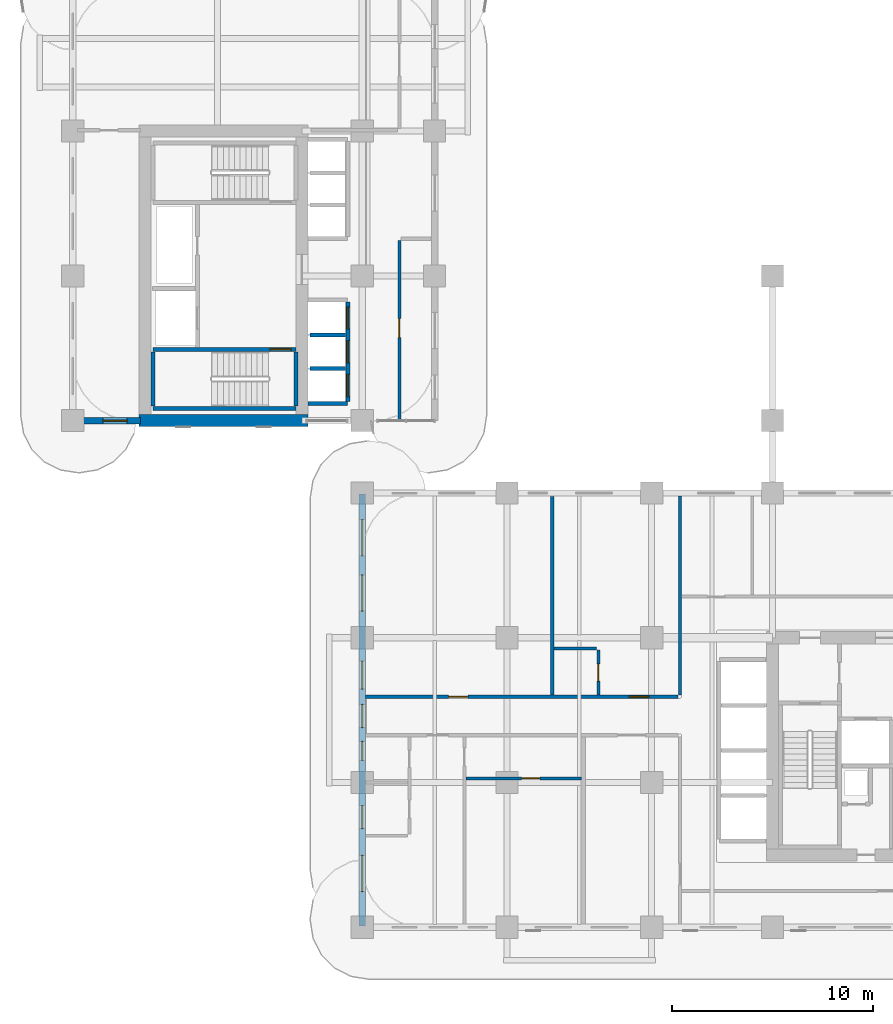
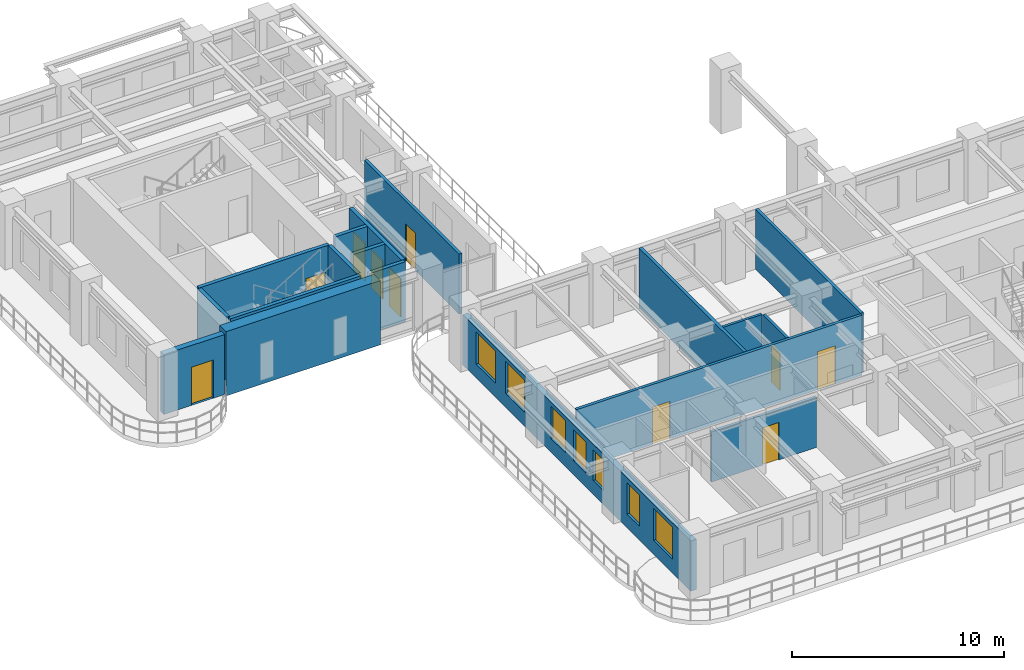
# One storey, part 7 of 19: 18 walls, 10 doors, 7 windows, 17 openings.
"""IFC4 building model written with IfcOpenShell, lengths in metres."""

import ifcopenshell
import ifcopenshell.guid

model = None  # the IFC model being written
_history = None  # IfcOwnerHistory: only IFC2X3 demands one
_inside = {}  # id of a spatial element -> (the spatial element, [elements in it])
_under = {}  # id of a project, library or spatial element -> (it, [spatial elements below it])
_declared = {}  # id of a project -> (the project, [libraries it declares])
_typed = {}  # id of a type object -> (the type object, [elements of that type])
_made_of = {}  # id of a material, layer set ... -> (it, [elements and type objects made of it])


def new_model(schema):
    """Start an empty IFC model of exactly this schema.

    Asked for "IFC4X3", IfcOpenShell would pick the latest addendum, in which some entities
    have other attributes; the version numbers below select the first issue.
    IFC2X3 requires an IfcOwnerHistory on every rooted entity: one is made here for all.
    """
    global model, _history
    if schema == "IFC4X3":
        model = ifcopenshell.file(schema_version=(4, 3, 0, 0))
    else:
        model = ifcopenshell.file(schema=schema)
    _inside.clear()
    _under.clear()
    _declared.clear()
    _typed.clear()
    _made_of.clear()
    _history = None
    if model.schema == "IFC2X3":
        org = make("IfcOrganization", Name="unknown")
        user = make(
            "IfcPersonAndOrganization",
            ThePerson=make("IfcPerson", FamilyName="unknown"),
            TheOrganization=org,
        )
        app = make(
            "IfcApplication",
            ApplicationDeveloper=org,
            Version="unknown",
            ApplicationFullName="unknown",
            ApplicationIdentifier="unknown",
        )
        _history = make(
            "IfcOwnerHistory",
            OwningUser=user,
            OwningApplication=app,
            ChangeAction="ADDED",
            CreationDate=0,
        )
    return model


def make(cls, **values):
    """One entity of the class cls with the attributes given. An attribute that is None is left unset."""
    return model.create_entity(
        cls, **{name: value for name, value in values.items() if value is not None}
    )


def rooted(cls, **values):
    """An entity with a GlobalId (a new one), such as an element, a storey or a relation."""
    return make(cls, GlobalId=ifcopenshell.guid.new(), OwnerHistory=_history, **values)


def si_unit(unit_type, name, prefix=None):
    """IfcSIUnit, for example si_unit("LENGTHUNIT", "METRE", prefix="MILLI")."""
    return make("IfcSIUnit", UnitType=unit_type, Prefix=prefix, Name=name)


def derived_unit(unit_type, elements):
    """IfcDerivedUnit: a product of units, each with its exponent."""
    return make(
        "IfcDerivedUnit",
        Elements=[
            make("IfcDerivedUnitElement", Unit=unit, Exponent=power)
            for unit, power in elements
        ],
        UnitType=unit_type,
    )


def assignment(units):
    """IfcUnitAssignment: the units of a project."""
    return None if units is None else make("IfcUnitAssignment", Units=units)


def point(xyz):
    """IfcCartesianPoint."""
    return None if xyz is None else make("IfcCartesianPoint", Coordinates=xyz)


def direction(xyz):
    """IfcDirection."""
    return None if xyz is None else make("IfcDirection", DirectionRatios=xyz)


def frame(location, z_axis=None, x_axis=None):
    """IfcAxis2Placement3D, a coordinate frame: its origin and axes. An axis left out is left unset."""
    return make(
        "IfcAxis2Placement3D",
        Location=point(location),
        Axis=direction(z_axis),
        RefDirection=direction(x_axis),
    )


def frame_2d(location, x_axis=None):
    """IfcAxis2Placement2D, a coordinate frame in the plane: its origin and x axis."""
    return make(
        "IfcAxis2Placement2D", Location=point(location), RefDirection=direction(x_axis)
    )


def origin():
    """The frame at (0, 0, 0) with its axes left unset."""
    return frame((0.0, 0.0, 0.0))


def place(relative_to, where):
    """IfcLocalPlacement: puts the frame where relative to a parent placement (None: the world)."""
    return make(
        "IfcLocalPlacement", PlacementRelTo=relative_to, RelativePlacement=where
    )


def context(
    kind, dimensions, precision=None, world=None, true_north=None, identifier=None
):
    """IfcGeometricRepresentationContext, for example the 3D "Model" context."""
    return make(
        "IfcGeometricRepresentationContext",
        ContextIdentifier=identifier,
        ContextType=kind,
        CoordinateSpaceDimension=dimensions,
        Precision=precision,
        WorldCoordinateSystem=world,
        TrueNorth=true_north,
    )


def subcontext(parent, identifier, kind, view, scale=None):
    """IfcGeometricRepresentationSubContext, for example "Body" below "Model"."""
    return make(
        "IfcGeometricRepresentationSubContext",
        ContextIdentifier=identifier,
        ContextType=kind,
        ParentContext=parent,
        TargetScale=scale,
        TargetView=view,
    )


def project(units=None, contexts=None):
    """IfcProject with its units and contexts."""
    return rooted(
        "IfcProject",
        Name="project",
        RepresentationContexts=contexts,
        UnitsInContext=assignment(units),
    )


def spatial(cls, under=None, at=None, **own):
    """A site, building, storey or space (cls), placed at a placement, below another one or the project."""
    s = rooted(cls, ObjectPlacement=at, **own)
    if under is not None:
        _under.setdefault(under.id(), (under, []))[1].append(s)
    return s


def profile(cls, at=None, kind="AREA", **sizes):
    """A parametric profile (cls). Its sizes go by their IFC names, for example OverallWidth=200.0."""
    return make(cls, ProfileType=kind, Position=at, **sizes)


def rectangle(**sizes):
    """IfcRectangleProfileDef."""
    return profile("IfcRectangleProfileDef", **sizes)


def extrude(swept, where, along, depth):
    """IfcExtrudedAreaSolid: the profile swept, set in the frame where, extruded along a direction by depth."""
    return make(
        "IfcExtrudedAreaSolid",
        SweptArea=swept,
        Position=where,
        ExtrudedDirection=direction(along),
        Depth=depth,
    )


def shape(context_of_items, identifier, shape_type, items):
    """IfcShapeRepresentation: the items that make up one representation, for example the "Body"."""
    return make(
        "IfcShapeRepresentation",
        ContextOfItems=context_of_items,
        RepresentationIdentifier=identifier,
        RepresentationType=shape_type,
        Items=items,
    )


def source(mapping_origin, context_of_items, identifier, shape_type, items):
    """IfcRepresentationMap: a shape defined once, which mapped items show again and again."""
    return make(
        "IfcRepresentationMap",
        MappingOrigin=mapping_origin,
        MappedRepresentation=shape(context_of_items, identifier, shape_type, items),
    )


def transform(
    local_origin,
    x_axis=None,
    y_axis=None,
    z_axis=None,
    scale=None,
    scale2=None,
    scale3=None,
    uniform=True,
):
    """IfcCartesianTransformationOperator3D, or its non-uniform kind. x_axis, y_axis, z_axis: its Axis1, 2, 3."""
    if uniform:
        return make(
            "IfcCartesianTransformationOperator3D",
            Axis1=direction(x_axis),
            Axis2=direction(y_axis),
            LocalOrigin=point(local_origin),
            Scale=scale,
            Axis3=direction(z_axis),
        )
    return make(
        "IfcCartesianTransformationOperator3DnonUniform",
        Axis1=direction(x_axis),
        Axis2=direction(y_axis),
        LocalOrigin=point(local_origin),
        Scale=scale,
        Axis3=direction(z_axis),
        Scale2=scale2,
        Scale3=scale3,
    )


def mapped(mapping_source, mapping_target):
    """IfcMappedItem: shows the shape of a source again, moved by a transform."""
    return make(
        "IfcMappedItem", MappingSource=mapping_source, MappingTarget=mapping_target
    )


def material(Name=None, Category=None):
    """IfcMaterial."""
    return make("IfcMaterial", Name=Name, Category=Category)


def layer(
    of_material, thickness, ventilated=None, Name=None, Category=None, Priority=None
):
    """IfcMaterialLayer: one layer of a wall or slab, of a material (None: an air gap)."""
    return make(
        "IfcMaterialLayer",
        Material=of_material,
        LayerThickness=thickness,
        IsVentilated=ventilated,
        Name=Name,
        Category=Category,
        Priority=Priority,
    )


def layer_set(layers, Name=None):
    """IfcMaterialLayerSet."""
    return make("IfcMaterialLayerSet", MaterialLayers=layers, LayerSetName=Name)


def made_of(thing, what):
    """Note that an element or type object is made of a material, layer set ...; save() writes the relation."""
    if what is not None:
        _made_of.setdefault(what.id(), (what, []))[1].append(thing)
    return thing


def type_object(cls, material=None, **own):
    """A type object (cls), such as IfcWallType, which elements share."""
    return made_of(rooted(cls, **own), material)


def type_shapes(of_type, sources):
    """Give a type object the sources (RepresentationMaps) that its elements show as mapped items."""
    of_type.RepresentationMaps = sources


def element(
    cls,
    number,
    at=None,
    inside=None,
    cuts=None,
    type_object=None,
    material=None,
    context=None,
    identifier="Body",
    shape_type=None,
    held_by="IfcProductDefinitionShape",
    body=None,
    shapes=None,
    **own,
):
    """One element of the class cls, such as IfcWall. Its Tag is "e" and its number.

    at: its placement. inside: the storey or other place that contains it. cuts: it is an
    opening in that element (IfcRelVoidsElement). A single representation is given by context,
    identifier, shape_type and body (its items); several are given by shapes. held_by: the class
    of the entity that holds the representations. save() writes the other relations.
    """
    e = rooted(cls, Tag="e%d" % number, ObjectPlacement=at, **own)
    if body is not None:
        shapes = [shape(context, identifier, shape_type, body)]
    if shapes is not None:
        e.Representation = make(held_by, Representations=shapes)
    if inside is not None:
        _inside.setdefault(inside.id(), (inside, []))[1].append(e)
    if cuts is not None:
        rooted(
            "IfcRelVoidsElement", RelatingBuildingElement=cuts, RelatedOpeningElement=e
        )
    if type_object is not None:
        _typed.setdefault(type_object.id(), (type_object, []))[1].append(e)
    return made_of(e, material)


def fill(opening, filler):
    """IfcRelFillsElement: the door or window that sits in an opening."""
    return rooted(
        "IfcRelFillsElement",
        RelatingOpeningElement=opening,
        RelatedBuildingElement=filler,
    )


def aggregate(whole, parts):
    """IfcRelAggregates: a whole, such as a stair, and the parts it consists of."""
    return rooted("IfcRelAggregates", RelatingObject=whole, RelatedObjects=parts)


def save(model, path):
    """Write the relations noted so far, then the file.

    IfcRelAggregates (storeys below a building ...), IfcRelContainedInSpatialStructure (elements
    in a storey), IfcRelDefinesByType, IfcRelAssociatesMaterial and IfcRelDeclares: one each for
    every whole, place, type object, material and project.
    """
    for whole, parts in _under.values():
        aggregate(whole, parts)
    for where, things in _inside.values():
        rooted(
            "IfcRelContainedInSpatialStructure",
            RelatedElements=things,
            RelatingStructure=where,
        )
    for kind, things in _typed.values():
        rooted("IfcRelDefinesByType", RelatedObjects=things, RelatingType=kind)
    for what, things in _made_of.values():
        rooted("IfcRelAssociatesMaterial", RelatedObjects=things, RelatingMaterial=what)
    for by, libraries in _declared.values():
        rooted("IfcRelDeclares", RelatingContext=by, RelatedDefinitions=libraries)
    model.write(path)


model = new_model("IFC4")

# Units and contexts
model_context = context("Model", 3, precision=1e-05, world=origin(), true_north=direction((0.0, 1.0)))
body_context = subcontext(model_context, "Body", "Model", "MODEL_VIEW")
ifc_project = project(units=[si_unit("LENGTHUNIT", "METRE"), si_unit("AREAUNIT", "SQUARE_METRE"), si_unit("VOLUMEUNIT", "CUBIC_METRE"), si_unit("PLANEANGLEUNIT", "RADIAN"), si_unit("MASSUNIT", "GRAM", prefix="KILO"), si_unit("THERMODYNAMICTEMPERATUREUNIT", "KELVIN"), si_unit("POWERUNIT", "WATT"), derived_unit("THERMALTRANSMITTANCEUNIT", [(si_unit("POWERUNIT", "WATT"), 1), (si_unit("AREAUNIT", "SQUARE_METRE"), -1), (si_unit("THERMODYNAMICTEMPERATUREUNIT", "KELVIN"), -1)])], contexts=[model_context])

# Site, building, storey
site_placement = place(None, origin())
site = spatial("IfcSite", under=ifc_project, at=site_placement, CompositionType="ELEMENT")
building_placement = place(site_placement, origin())
building = spatial("IfcBuilding", under=site, at=building_placement, Name="Zahravan Archway Hotel and Residences", CompositionType="ELEMENT")
storey_placement = place(building_placement, frame((0.0, 0.0, 62.0)))
storey = spatial("IfcBuildingStorey", under=building, at=storey_placement, Name="L14", CompositionType="ELEMENT", Elevation=62.0)

# Wall
ifc_material_1 = material(Name="Concrete C70/85", Category="concrete")
ifc_layer_1 = layer(ifc_material_1, 0.60009765625, Name="Concrete C70/85", Category="concrete")
ifc_layer_set_1 = layer_set([ifc_layer_1], Name="Concrete C70/85")
wall_type_1 = type_object("IfcWallType", Name="CW-CORE-600", PredefinedType="SHEAR", material=ifc_layer_set_1)
wall_1_placement = place(storey_placement, frame((3.300048828125, 25.199951171875, 0.0), z_axis=(0.0, 0.0, 1.0), x_axis=(1.0, 0.0, 0.0)))
element("IfcWall", 1, at=wall_1_placement, inside=storey, type_object=wall_type_1, Name="L14 Core B Shear S Wall 600 mm", PredefinedType="SHEAR", context=body_context, shape_type="SweptSolid", body=[
    extrude(rectangle(XDim=8.39990234375, YDim=0.60009765625, at=frame_2d((4.199951171875, 0.0))), origin(), (0.0, 0.0, 1.0), 3.699951171875),
])

# Wall, openings, windows
ifc_material_2 = material(Name="Agra Buff Sandstone & Insulated Backup", Category="masonry")
ifc_layer_2 = layer(ifc_material_2, 0.320068359375, Name="Agra Buff Sandstone & Insulated Backup", Category="masonry")
ifc_layer_set_2 = layer_set([ifc_layer_2], Name="Agra Buff Sandstone & Insulated Backup")
wall_type_2 = type_object("IfcWallType", Name="EW-SAND-320", PredefinedType="SOLIDWALL", material=ifc_layer_set_2)
wall_2_placement = place(storey_placement, frame((14.39990234375, 0.050048828125, 0.0), z_axis=(0.0, 0.0, 1.0), x_axis=(0.0, 1.0, 0.0)))
wall_2 = element("IfcWall", 2, at=wall_2_placement, inside=storey, type_object=wall_type_2, Name="L14 Exterior Sandstone Wall WA-W", PredefinedType="SOLIDWALL", context=body_context, shape_type="SweptSolid", body=[
    extrude(rectangle(XDim=21.5, YDim=0.320068359375, at=frame_2d((10.75, 0.0))), origin(), (0.0, 0.0, 1.0), 2.885009765625),
])
opening_1_placement = place(wall_2_placement, frame((1.720947265625, 0.0, 0.800048828125)))
opening_1 = element("IfcOpeningElement", 3, at=opening_1_placement, cuts=wall_2, Name="Opening W-02", PredefinedType="OPENING", context=body_context, shape_type="SweptSolid", body=[
    extrude(rectangle(XDim=1.800048828125, YDim=1.85009765625, at=frame_2d((0.89990234375, 0.925048828125))), frame((0.0, 0.169921875, 0.0), z_axis=(0.0, -1.0, 0.0), x_axis=(1.0, 0.0, 0.0)), (0.0, 0.0, 1.0), 0.340087890625),
])
opening_2_placement = place(wall_2_placement, frame((4.85400390625, 0.0, 0.800048828125)))
opening_2 = element("IfcOpeningElement", 4, at=opening_2_placement, cuts=wall_2, Name="Opening W-05", PredefinedType="OPENING", context=body_context, shape_type="SweptSolid", body=[
    extrude(rectangle(XDim=1.14990234375, YDim=1.800048828125, at=frame_2d((0.574951171875, 0.89990234375))), frame((0.0, 0.169921875, 0.0), z_axis=(0.0, -1.0, 0.0), x_axis=(1.0, 0.0, 0.0)), (0.0, 0.0, 1.0), 0.340087890625),
])
opening_3_placement = place(wall_2_placement, frame((8.24609375, 0.0, 0.800048828125)))
opening_3 = element("IfcOpeningElement", 5, at=opening_3_placement, cuts=wall_2, Name="Opening W-04", PredefinedType="OPENING", context=body_context, shape_type="SweptSolid", body=[
    extrude(rectangle(XDim=0.949951171875, YDim=1.75, at=frame_2d((0.47509765625, 0.875))), frame((0.0, 0.169921875, 0.0), z_axis=(0.0, -1.0, 0.0), x_axis=(1.0, 0.0, 0.0)), (0.0, 0.0, 1.0), 0.340087890625),
])
opening_4_placement = place(wall_2_placement, frame((9.885009765625, 0.0, 0.800048828125)))
opening_4 = element("IfcOpeningElement", 6, at=opening_4_placement, cuts=wall_2, Name="Opening W-05", PredefinedType="OPENING", context=body_context, shape_type="SweptSolid", body=[
    extrude(rectangle(XDim=1.14990234375, YDim=1.800048828125, at=frame_2d((0.574951171875, 0.89990234375))), frame((0.0, 0.169921875, 0.0), z_axis=(0.0, -1.0, 0.0), x_axis=(1.0, 0.0, 0.0)), (0.0, 0.0, 1.0), 0.340087890625),
])
opening_5_placement = place(wall_2_placement, frame((11.7890625, 0.0, 0.800048828125)))
opening_5 = element("IfcOpeningElement", 7, at=opening_5_placement, cuts=wall_2, Name="Opening W-03", PredefinedType="OPENING", context=body_context, shape_type="SweptSolid", body=[
    extrude(rectangle(XDim=1.39990234375, YDim=1.85009765625, at=frame_2d((0.699951171875, 0.925048828125))), frame((0.0, 0.169921875, 0.0), z_axis=(0.0, -1.0, 0.0), x_axis=(1.0, 0.0, 0.0)), (0.0, 0.0, 1.0), 0.340087890625),
])
opening_6_placement = place(wall_2_placement, frame((15.675048828125, 0.0, 0.800048828125)))
opening_6 = element("IfcOpeningElement", 8, at=opening_6_placement, cuts=wall_2, Name="Opening W-02", PredefinedType="OPENING", context=body_context, shape_type="SweptSolid", body=[
    extrude(rectangle(XDim=1.800048828125, YDim=1.85009765625, at=frame_2d((0.89990234375, 0.925048828125))), frame((0.0, 0.169921875, 0.0), z_axis=(0.0, -1.0, 0.0), x_axis=(1.0, 0.0, 0.0)), (0.0, 0.0, 1.0), 0.340087890625),
])
opening_7_placement = place(wall_2_placement, frame((18.425048828125, 0.0, 0.800048828125)))
opening_7 = element("IfcOpeningElement", 9, at=opening_7_placement, cuts=wall_2, Name="Opening W-02", PredefinedType="OPENING", context=body_context, shape_type="SweptSolid", body=[
    extrude(rectangle(XDim=1.800048828125, YDim=1.85009765625, at=frame_2d((0.89990234375, 0.925048828125))), frame((0.0, 0.169921875, 0.0), z_axis=(0.0, -1.0, 0.0), x_axis=(1.0, 0.0, 0.0)), (0.0, 0.0, 1.0), 0.340087890625),
])
ifc_material_3 = material(Name="Bronze-Anodized Thermal-Break Aluminium & Low-E Glass", Category="aluminium")
window_type_1 = type_object("IfcWindowType", Name="WIN-TWR-1400", PartitioningType="SINGLE_PANEL", PredefinedType="WINDOW", material=ifc_material_3)
shared_shape_1 = source(origin(), body_context, "Body", "SweptSolid", [
    extrude(rectangle(XDim=1.39990234375, YDim=1.85009765625, at=frame_2d((0.699951171875, 0.925048828125))), frame((0.0, 0.030029296875, 0.0), z_axis=(0.0, -1.0, 0.0), x_axis=(1.0, 0.0, 0.0)), (0.0, 0.0, 1.0), 0.06005859375),
])
type_shapes(window_type_1, [shared_shape_1])
window_1_placement = place(opening_5_placement, origin())
window_1 = element("IfcWindow", 10, at=window_1_placement, inside=storey, type_object=window_type_1, Name="L14 Loggia Window 31", OverallHeight=1.85009765625, OverallWidth=1.39990234375, PartitioningType="SINGLE_PANEL", PredefinedType="WINDOW", context=body_context, shape_type="MappedRepresentation", body=[
    mapped(shared_shape_1, transform((0.0, 0.0, 0.0), scale=1.0)),
])
fill(opening_5, window_1)
window_type_2 = type_object("IfcWindowType", Name="WIN-NAR-950", PartitioningType="SINGLE_PANEL", PredefinedType="WINDOW", material=ifc_material_3)
shared_shape_2 = source(origin(), body_context, "Body", "SweptSolid", [
    extrude(rectangle(XDim=0.949951171875, YDim=1.75, at=frame_2d((0.47509765625, 0.875))), frame((0.0, 0.030029296875, 0.0), z_axis=(0.0, -1.0, 0.0), x_axis=(1.0, 0.0, 0.0)), (0.0, 0.0, 1.0), 0.06005859375),
])
type_shapes(window_type_2, [shared_shape_2])
window_2_placement = place(opening_3_placement, origin())
window_2 = element("IfcWindow", 11, at=window_2_placement, inside=storey, type_object=window_type_2, Name="L14 Loggia Window 29", OverallHeight=1.75, OverallWidth=0.949951171875, PartitioningType="SINGLE_PANEL", PredefinedType="WINDOW", context=body_context, shape_type="MappedRepresentation", body=[
    mapped(shared_shape_2, transform((0.0, 0.0, 0.0), scale=1.0)),
])
fill(opening_3, window_2)
window_type_3 = type_object("IfcWindowType", Name="WIN-TWR-1800", PartitioningType="DOUBLE_PANEL_VERTICAL", PredefinedType="WINDOW", material=ifc_material_3)
shared_shape_3 = source(origin(), body_context, "Body", "SweptSolid", [
    extrude(rectangle(XDim=1.800048828125, YDim=1.85009765625, at=frame_2d((0.89990234375, 0.925048828125))), frame((0.0, 0.030029296875, 0.0), z_axis=(0.0, -1.0, 0.0), x_axis=(1.0, 0.0, 0.0)), (0.0, 0.0, 1.0), 0.06005859375),
])
type_shapes(window_type_3, [shared_shape_3])
window_3_placement = place(opening_1_placement, origin())
window_3 = element("IfcWindow", 12, at=window_3_placement, inside=storey, type_object=window_type_3, Name="L14 Loggia Window 27", OverallHeight=1.85009765625, OverallWidth=1.800048828125, PartitioningType="DOUBLE_PANEL_VERTICAL", PredefinedType="WINDOW", context=body_context, shape_type="MappedRepresentation", body=[
    mapped(shared_shape_3, transform((0.0, 0.0, 0.0), scale=1.0)),
])
fill(opening_1, window_3)
window_4_placement = place(opening_6_placement, origin())
window_4 = element("IfcWindow", 13, at=window_4_placement, inside=storey, type_object=window_type_3, Name="L14 Loggia Window 32", OverallHeight=1.85009765625, OverallWidth=1.800048828125, PartitioningType="DOUBLE_PANEL_VERTICAL", PredefinedType="WINDOW", context=body_context, shape_type="MappedRepresentation", body=[
    mapped(shared_shape_3, transform((0.0, 0.0, 0.0), scale=1.0)),
])
fill(opening_6, window_4)
window_5_placement = place(opening_7_placement, origin())
window_5 = element("IfcWindow", 14, at=window_5_placement, inside=storey, type_object=window_type_3, Name="L14 Loggia Window 33", OverallHeight=1.85009765625, OverallWidth=1.800048828125, PartitioningType="DOUBLE_PANEL_VERTICAL", PredefinedType="WINDOW", context=body_context, shape_type="MappedRepresentation", body=[
    mapped(shared_shape_3, transform((0.0, 0.0, 0.0), scale=1.0)),
])
fill(opening_7, window_5)
window_type_4 = type_object("IfcWindowType", Name="WIN-TWR-1150", PartitioningType="SINGLE_PANEL", PredefinedType="WINDOW", material=ifc_material_3)
shared_shape_4 = source(origin(), body_context, "Body", "SweptSolid", [
    extrude(rectangle(XDim=1.14990234375, YDim=1.800048828125, at=frame_2d((0.574951171875, 0.89990234375))), frame((0.0, 0.030029296875, 0.0), z_axis=(0.0, -1.0, 0.0), x_axis=(1.0, 0.0, 0.0)), (0.0, 0.0, 1.0), 0.06005859375),
])
type_shapes(window_type_4, [shared_shape_4])
window_6_placement = place(opening_2_placement, origin())
window_6 = element("IfcWindow", 15, at=window_6_placement, inside=storey, type_object=window_type_4, Name="L14 Loggia Window 28", OverallHeight=1.800048828125, OverallWidth=1.14990234375, PartitioningType="SINGLE_PANEL", PredefinedType="WINDOW", context=body_context, shape_type="MappedRepresentation", body=[
    mapped(shared_shape_4, transform((0.0, 0.0, 0.0), scale=1.0)),
])
fill(opening_2, window_6)
window_7_placement = place(opening_4_placement, origin())
window_7 = element("IfcWindow", 16, at=window_7_placement, inside=storey, type_object=window_type_4, Name="L14 Loggia Window 30", OverallHeight=1.800048828125, OverallWidth=1.14990234375, PartitioningType="SINGLE_PANEL", PredefinedType="WINDOW", context=body_context, shape_type="MappedRepresentation", body=[
    mapped(shared_shape_4, transform((0.0, 0.0, 0.0), scale=1.0)),
])
fill(opening_4, window_7)

# Wall, opening, door
wall_3_placement = place(storey_placement, frame((0.0, 25.199951171875, 0.0), z_axis=(0.0, 0.0, 1.0), x_axis=(1.0, 0.0, 0.0)))
wall_3 = element("IfcWall", 17, at=wall_3_placement, inside=storey, type_object=wall_type_2, Name="L14 Exterior Sandstone Wall WB-SW", PredefinedType="SOLIDWALL", context=body_context, shape_type="SweptSolid", body=[
    extrude(rectangle(XDim=3.3798828125, YDim=0.320068359375, at=frame_2d((1.68994140625, 0.0))), origin(), (0.0, 0.0, 1.0), 3.449951171875),
])
opening_8_placement = place(wall_3_placement, frame((1.5, 0.0, 0.0)))
opening_8 = element("IfcOpeningElement", 18, at=opening_8_placement, cuts=wall_3, Name="Opening ED-BL1", PredefinedType="OPENING", context=body_context, shape_type="SweptSolid", body=[
    extrude(rectangle(XDim=1.199951171875, YDim=2.199951171875, at=frame_2d((0.60009765625, 1.10009765625))), frame((0.0, 0.169921875, 0.0), z_axis=(0.0, -1.0, 0.0), x_axis=(1.0, 0.0, 0.0)), (0.0, 0.0, 1.0), 0.340087890625),
])
ifc_material_4 = material(Name="Bronze-Anodized Glazed Aluminium", Category="aluminium")
door_type_1 = type_object("IfcDoorType", Name="ED-BALC-1200", OperationType="SLIDING_TO_LEFT", PredefinedType="DOOR", material=ifc_material_4)
shared_shape_5 = source(origin(), body_context, "Body", "SweptSolid", [
    extrude(rectangle(XDim=1.199951171875, YDim=2.199951171875, at=frame_2d((0.60009765625, 1.10009765625))), frame((0.0, 0.02490234375, 0.0), z_axis=(0.0, -1.0, 0.0), x_axis=(1.0, 0.0, 0.0)), (0.0, 0.0, 1.0), 0.050048828125),
])
type_shapes(door_type_1, [shared_shape_5])
door_1_placement = place(opening_8_placement, origin())
door_1 = element("IfcDoor", 19, at=door_1_placement, inside=storey, type_object=door_type_1, Name="L14 Outdoor Access Sliding Door (SLB-BAL-L14-WB)", OperationType="SLIDING_TO_LEFT", OverallHeight=2.199951171875, OverallWidth=1.199951171875, PredefinedType="DOOR", context=body_context, shape_type="MappedRepresentation", body=[
    mapped(shared_shape_5, transform((0.0, 0.0, 0.0), scale=1.0)),
])
fill(opening_8, door_1)

# Wall, openings, doors
ifc_material_5 = material(Name="Fire-Rated Gypsum & Concrete Block", Category="concrete")
ifc_layer_3 = layer(ifc_material_5, 0.159912109375, Name="Fire-Rated Gypsum & Concrete Block", Category="concrete")
ifc_layer_set_3 = layer_set([ifc_layer_3], Name="Fire-Rated Gypsum & Concrete Block")
wall_type_3 = type_object("IfcWallType", Name="PW-CORR-160", PredefinedType="PARTITIONING", material=ifc_layer_set_3)
wall_4_placement = place(storey_placement, frame((14.568115234375, 11.469970703125, 0.0), z_axis=(0.0, 0.0, 1.0), x_axis=(1.0, 0.0, 0.0)))
wall_4 = element("IfcWall", 20, at=wall_4_placement, inside=storey, type_object=wall_type_3, Name="L14 Partition WA-CN", PredefinedType="PARTITIONING", context=body_context, shape_type="SweptSolid", body=[
    extrude(rectangle(XDim=15.5419921875, YDim=0.159912109375, at=frame_2d((7.77099609375, 0.0))), origin(), (0.0, 0.0, 1.0), 3.449951171875),
])
opening_9_placement = place(wall_4_placement, frame((4.132080078125, 0.0, 0.0)))
opening_9 = element("IfcOpeningElement", 21, at=opening_9_placement, cuts=wall_4, Name="Opening D-I1", PredefinedType="OPENING", context=body_context, shape_type="SweptSolid", body=[
    extrude(rectangle(XDim=0.949951171875, YDim=2.14990234375, at=frame_2d((0.47509765625, 1.074951171875))), frame((0.0, 0.08984375, 0.0), z_axis=(0.0, -1.0, 0.0), x_axis=(1.0, 0.0, 0.0)), (0.0, 0.0, 1.0), 0.179931640625),
])
opening_10_placement = place(wall_4_placement, frame((13.10693359375, 0.0, 0.0)))
opening_10 = element("IfcOpeningElement", 22, at=opening_10_placement, cuts=wall_4, Name="Opening D-U2", PredefinedType="OPENING", context=body_context, shape_type="SweptSolid", body=[
    extrude(rectangle(XDim=1.0, YDim=2.199951171875, at=frame_2d((0.5, 1.10009765625))), frame((0.0, 0.08984375, 0.0), z_axis=(0.0, -1.0, 0.0), x_axis=(1.0, 0.0, 0.0)), (0.0, 0.0, 1.0), 0.179931640625),
])
ifc_material_6 = material(Name="Hardwood Veneer Timber", Category="wood")
door_type_2 = type_object("IfcDoorType", Name="ID-INT-950", OperationType="NOTDEFINED", PredefinedType="DOOR", material=ifc_material_6)
shared_shape_6 = source(origin(), body_context, "Body", "SweptSolid", [
    extrude(rectangle(XDim=0.949951171875, YDim=2.14990234375, at=frame_2d((0.47509765625, 1.074951171875))), frame((0.0, 0.02490234375, 0.0), z_axis=(0.0, -1.0, 0.0), x_axis=(1.0, 0.0, 0.0)), (0.0, 0.0, 1.0), 0.050048828125),
])
type_shapes(door_type_2, [shared_shape_6])
door_2_placement = place(opening_9_placement, origin())
door_2 = element("IfcDoor", 23, at=door_2_placement, inside=storey, type_object=door_type_2, Name="L14 Portal Study Door", OperationType="SINGLE_SWING_LEFT", OverallHeight=2.14990234375, OverallWidth=0.949951171875, PredefinedType="DOOR", context=body_context, shape_type="MappedRepresentation", body=[
    mapped(shared_shape_6, transform((0.0, 0.0, 0.0), scale=1.0)),
])
fill(opening_9, door_2)
door_type_3 = type_object("IfcDoorType", Name="ID-UNIT-1000", OperationType="NOTDEFINED", PredefinedType="DOOR", material=ifc_material_6)
shared_shape_7 = source(origin(), body_context, "Body", "SweptSolid", [
    extrude(rectangle(XDim=1.0, YDim=2.199951171875, at=frame_2d((0.5, 1.10009765625))), frame((0.0, 0.02490234375, 0.0), z_axis=(0.0, -1.0, 0.0), x_axis=(1.0, 0.0, 0.0)), (0.0, 0.0, 1.0), 0.050048828125),
])
type_shapes(door_type_3, [shared_shape_7])
door_3_placement = place(opening_10_placement, origin())
door_3 = element("IfcDoor", 24, at=door_3_placement, inside=storey, type_object=door_type_3, Name="L14 Hotel Guestroom 45 Entrance Door", OperationType="SINGLE_SWING_LEFT", OverallHeight=2.199951171875, OverallWidth=1.0, PredefinedType="DOOR", context=body_context, shape_type="MappedRepresentation", body=[
    mapped(shared_shape_7, transform((0.0, 0.0, 0.0), scale=1.0)),
])
fill(opening_10, door_3)

# Wall
wall_5_placement = place(storey_placement, frame((30.199951171875, 11.56005859375, 0.0), z_axis=(0.0, 0.0, 1.0), x_axis=(0.0, 1.0, 0.0)))
element("IfcWall", 25, at=wall_5_placement, inside=storey, type_object=wall_type_3, Name="L14 Partition WA-FW", PredefinedType="PARTITIONING", context=body_context, shape_type="SweptSolid", body=[
    extrude(rectangle(XDim=9.89990234375, YDim=0.159912109375, at=frame_2d((4.949951171875, 0.0))), origin(), (0.0, 0.0, 1.0), 3.449951171875),
])

# Wall, opening, door
wall_6_placement = place(storey_placement, frame((16.25, 25.22802734375, 0.0), z_axis=(0.0, 0.0, 1.0), x_axis=(0.0, 1.0, 0.0)))
wall_6 = element("IfcWall", 26, at=wall_6_placement, inside=storey, type_object=wall_type_3, Name="L14 Partition WB-CE", PredefinedType="PARTITIONING", context=body_context, shape_type="SweptSolid", body=[
    extrude(rectangle(XDim=8.931884765625, YDim=0.159912109375, at=frame_2d((4.4658203125, 0.0))), origin(), (0.0, 0.0, 1.0), 3.449951171875),
])
opening_11_placement = place(wall_6_placement, frame((4.096923828125, 0.0, 0.0)))
opening_11 = element("IfcOpeningElement", 27, at=opening_11_placement, cuts=wall_6, Name="Opening D-I1", PredefinedType="OPENING", context=body_context, shape_type="SweptSolid", body=[
    extrude(rectangle(XDim=0.949951171875, YDim=2.14990234375, at=frame_2d((0.47509765625, 1.074951171875))), frame((0.0, 0.08984375, 0.0), z_axis=(0.0, -1.0, 0.0), x_axis=(1.0, 0.0, 0.0)), (0.0, 0.0, 1.0), 0.179931640625),
])
door_4_placement = place(opening_11_placement, origin())
door_4 = element("IfcDoor", 28, at=door_4_placement, inside=storey, type_object=door_type_2, Name="L14 Wing B Portal Study Door", OperationType="SINGLE_SWING_RIGHT", OverallHeight=2.14990234375, OverallWidth=0.949951171875, PredefinedType="DOOR", context=body_context, shape_type="MappedRepresentation", body=[
    mapped(shared_shape_6, transform((0.0, 0.0, 0.0), scale=1.0)),
])
fill(opening_11, door_4)

# Wall
ifc_layer_4 = layer(ifc_material_5, 0.199951171875, Name="Fire-Rated Gypsum & Concrete Block", Category="concrete")
ifc_layer_set_4 = layer_set([ifc_layer_4], Name="Fire-Rated Gypsum & Concrete Block")
wall_type_4 = type_object("IfcWallType", Name="PW-SHAFT-200", PredefinedType="PARTITIONING", material=ifc_layer_set_4)
wall_7_placement = place(storey_placement, frame((11.7099609375, 26.050048828125, 0.0), z_axis=(0.0, 0.0, 1.0), x_axis=(1.0, 0.0, 0.0)))
element("IfcWall", 29, at=wall_7_placement, inside=storey, type_object=wall_type_4, Name="L14 Partition B1-S", PredefinedType="PARTITIONING", context=body_context, shape_type="SweptSolid", body=[
    extrude(rectangle(XDim=1.9599609375, YDim=0.199951171875, at=frame_2d((0.97998046875, 0.0))), origin(), (0.0, 0.0, 1.0), 3.449951171875),
])

# Wall, openings, doors
wall_8_placement = place(storey_placement, frame((13.679931640625, 26.159912109375, 0.0), z_axis=(0.0, 0.0, 1.0), x_axis=(0.0, 1.0, 0.0)))
wall_8 = element("IfcWall", 30, at=wall_8_placement, inside=storey, type_object=wall_type_4, Name="L14 Partition B1-E", PredefinedType="PARTITIONING", context=body_context, shape_type="SweptSolid", body=[
    extrude(rectangle(XDim=4.940185546875, YDim=0.199951171875, at=frame_2d((2.47021484375, 0.0))), origin(), (0.0, 0.0, 1.0), 3.449951171875),
])
opening_12_placement = place(wall_8_placement, frame((0.239990234375, 0.0, 0.0)))
opening_12 = element("IfcOpeningElement", 31, at=opening_12_placement, cuts=wall_8, Name="Opening LD", PredefinedType="OPENING", context=body_context, shape_type="SweptSolid", body=[
    extrude(rectangle(XDim=1.10009765625, YDim=2.199951171875, at=frame_2d((0.550048828125, 1.10009765625))), frame((0.0, 0.10986328125, 0.0), z_axis=(0.0, -1.0, 0.0), x_axis=(1.0, 0.0, 0.0)), (0.0, 0.0, 1.0), 0.219970703125),
])
opening_13_placement = place(wall_8_placement, frame((1.919921875, 0.0, 0.0)))
opening_13 = element("IfcOpeningElement", 32, at=opening_13_placement, cuts=wall_8, Name="Opening LD", PredefinedType="OPENING", context=body_context, shape_type="SweptSolid", body=[
    extrude(rectangle(XDim=1.10009765625, YDim=2.199951171875, at=frame_2d((0.550048828125, 1.10009765625))), frame((0.0, 0.10986328125, 0.0), z_axis=(0.0, -1.0, 0.0), x_axis=(1.0, 0.0, 0.0)), (0.0, 0.0, 1.0), 0.219970703125),
])
opening_14_placement = place(wall_8_placement, frame((3.60009765625, 0.0, 0.0)))
opening_14 = element("IfcOpeningElement", 33, at=opening_14_placement, cuts=wall_8, Name="Opening LD", PredefinedType="OPENING", context=body_context, shape_type="SweptSolid", body=[
    extrude(rectangle(XDim=1.10009765625, YDim=2.199951171875, at=frame_2d((0.550048828125, 1.10009765625))), frame((0.0, 0.10986328125, 0.0), z_axis=(0.0, -1.0, 0.0), x_axis=(1.0, 0.0, 0.0)), (0.0, 0.0, 1.0), 0.219970703125),
])
ifc_material_7 = material(Name="Brushed Stainless Steel", Category="steel")
door_type_4 = type_object("IfcDoorType", Name="DR-LIFT-LD", OperationType="SLIDING_TO_LEFT", PredefinedType="DOOR", material=ifc_material_7)
shared_shape_8 = source(origin(), body_context, "Body", "SweptSolid", [
    extrude(rectangle(XDim=1.10009765625, YDim=2.199951171875, at=frame_2d((0.550048828125, 1.10009765625))), frame((0.0, 0.02490234375, 0.0), z_axis=(0.0, -1.0, 0.0), x_axis=(1.0, 0.0, 0.0)), (0.0, 0.0, 1.0), 0.050048828125),
])
type_shapes(door_type_4, [shared_shape_8])
door_5_placement = place(opening_12_placement, origin())
door_5 = element("IfcDoor", 34, at=door_5_placement, inside=storey, type_object=door_type_4, Name="L14 Lift LP-1 Sliding Landing Door", OperationType="SLIDING_TO_LEFT", OverallHeight=2.199951171875, OverallWidth=1.10009765625, PredefinedType="DOOR", context=body_context, shape_type="MappedRepresentation", body=[
    mapped(shared_shape_8, transform((0.0, 0.0, 0.0), scale=1.0)),
])
fill(opening_12, door_5)
door_6_placement = place(opening_13_placement, origin())
door_6 = element("IfcDoor", 35, at=door_6_placement, inside=storey, type_object=door_type_4, Name="L14 Lift LP-2 Sliding Landing Door", OperationType="SLIDING_TO_LEFT", OverallHeight=2.199951171875, OverallWidth=1.10009765625, PredefinedType="DOOR", context=body_context, shape_type="MappedRepresentation", body=[
    mapped(shared_shape_8, transform((0.0, 0.0, 0.0), scale=1.0)),
])
fill(opening_13, door_6)
door_7_placement = place(opening_14_placement, origin())
door_7 = element("IfcDoor", 36, at=door_7_placement, inside=storey, type_object=door_type_4, Name="L14 Lift LP-3 Sliding Landing Door", OperationType="SLIDING_TO_LEFT", OverallHeight=2.199951171875, OverallWidth=1.10009765625, PredefinedType="DOOR", context=body_context, shape_type="MappedRepresentation", body=[
    mapped(shared_shape_8, transform((0.0, 0.0, 0.0), scale=1.0)),
])
fill(opening_14, door_7)

# Walls
for number, where, z_axis, x_axis, name in (
    (37, (11.81005859375, 27.7900390625, 0.0), (0.0, 0.0, 1.0), (1.0, 0.0, 0.0), "L14 Partition B1-D"),
    (38, (11.81005859375, 29.469970703125, 0.0), (0.0, 0.0, 1.0), (1.0, 0.0, 0.0), "L14 Partition B1-D"),
):
    element("IfcWall", number, at=place(storey_placement, frame(where, z_axis=z_axis, x_axis=x_axis)), inside=storey, type_object=wall_type_4, Name=name, PredefinedType="PARTITIONING", context=body_context, shape_type="SweptSolid", body=[
        extrude(rectangle(XDim=1.760009765625, YDim=0.199951171875, at=frame_2d((0.8798828125, 0.0))), origin(), (0.0, 0.0, 1.0), 3.449951171875),
    ])

# Wall, opening, door
ifc_material_8 = material(Name="Acoustic Stud Partition")
ifc_layer_5 = layer(ifc_material_8, 0.14990234375, Name="Acoustic Stud Partition")
ifc_layer_set_5 = layer_set([ifc_layer_5], Name="Acoustic Stud Partition")
wall_type_5 = type_object("IfcWallType", Name="PW-UNIT-150", PredefinedType="PARTITIONING", material=ifc_layer_set_5)
wall_9_placement = place(storey_placement, frame((19.570068359375, 7.39990234375, 0.0), z_axis=(0.0, 0.0, 1.0), x_axis=(1.0, 0.0, 0.0)))
wall_9 = element("IfcWall", 39, at=wall_9_placement, inside=storey, type_object=wall_type_5, Name="L14 Partition FL-HS1-GH", PredefinedType="PARTITIONING", context=body_context, shape_type="SweptSolid", body=[
    extrude(rectangle(XDim=5.739990234375, YDim=0.14990234375, at=frame_2d((2.8701171875, 0.0))), origin(), (0.0, 0.0, 1.0), 2.885009765625),
])
opening_15_placement = place(wall_9_placement, frame((2.762451171875, 0.0, 0.0)))
opening_15 = element("IfcOpeningElement", 40, at=opening_15_placement, cuts=wall_9, Name="Opening D-I2", PredefinedType="OPENING", context=body_context, shape_type="SweptSolid", body=[
    extrude(rectangle(XDim=0.89990234375, YDim=2.14990234375, at=frame_2d((0.449951171875, 1.074951171875))), frame((0.0, 0.0849609375, 0.0), z_axis=(0.0, -1.0, 0.0), x_axis=(1.0, 0.0, 0.0)), (0.0, 0.0, 1.0), 0.169921875),
])
door_type_5 = type_object("IfcDoorType", Name="ID-INT-900", OperationType="NOTDEFINED", PredefinedType="DOOR", material=ifc_material_6)
shared_shape_9 = source(origin(), body_context, "Body", "SweptSolid", [
    extrude(rectangle(XDim=0.89990234375, YDim=2.14990234375, at=frame_2d((0.449951171875, 1.074951171875))), frame((0.0, 0.02490234375, 0.0), z_axis=(0.0, -1.0, 0.0), x_axis=(1.0, 0.0, 0.0)), (0.0, 0.0, 1.0), 0.050048828125),
])
type_shapes(door_type_5, [shared_shape_9])
door_8_placement = place(opening_15_placement, origin())
door_8 = element("IfcDoor", 41, at=door_8_placement, inside=storey, type_object=door_type_5, Name="L14 Flat HS1 Bedroom 1 Door", OperationType="SINGLE_SWING_RIGHT", OverallHeight=2.14990234375, OverallWidth=0.89990234375, PredefinedType="DOOR", context=body_context, shape_type="MappedRepresentation", body=[
    mapped(shared_shape_9, transform((0.0, 0.0, 0.0), scale=1.0)),
])
fill(opening_15, door_8)

# Wall
ifc_layer_6 = layer(ifc_material_8, 0.169921875, Name="Acoustic Stud Partition")
ifc_layer_set_6 = layer_set([ifc_layer_6], Name="Acoustic Stud Partition")
wall_type_6 = type_object("IfcWallType", Name="PW-UNIT-170", PredefinedType="PARTITIONING", material=ifc_layer_set_6)
wall_10_placement = place(storey_placement, frame((23.85009765625, 11.56005859375, 0.0), z_axis=(0.0, 0.0, 1.0), x_axis=(0.0, 1.0, 0.0)))
element("IfcWall", 42, at=wall_10_placement, inside=storey, type_object=wall_type_6, Name="L14 Partition WAN-P3", PredefinedType="PARTITIONING", context=body_context, shape_type="SweptSolid", body=[
    extrude(rectangle(XDim=9.871826171875, YDim=0.169921875, at=frame_2d((4.93603515625, 0.0))), origin(), (0.0, 0.0, 1.0), 3.449951171875),
])

# Wall, opening, door
ifc_material_9 = material(Name="Moisture-Resistant Blockwork", Category="masonry")
ifc_layer_7 = layer(ifc_material_9, 0.139892578125, Name="Moisture-Resistant Blockwork", Category="masonry")
ifc_layer_set_7 = layer_set([ifc_layer_7], Name="Moisture-Resistant Blockwork")
wall_type_7 = type_object("IfcWallType", Name="PW-WET-140", PredefinedType="PARTITIONING", material=ifc_layer_set_7)
wall_11_placement = place(storey_placement, frame((26.14990234375, 11.56005859375, 0.0), z_axis=(0.0, 0.0, 1.0), x_axis=(0.0, 1.0, 0.0)))
wall_11 = element("IfcWall", 43, at=wall_11_placement, inside=storey, type_object=wall_type_7, Name="L14 Partition HKB-V45", PredefinedType="PARTITIONING", context=body_context, shape_type="SweptSolid", body=[
    extrude(rectangle(XDim=2.219970703125, YDim=0.139892578125, at=frame_2d((1.10986328125, 0.0))), origin(), (0.0, 0.0, 1.0), 3.449951171875),
])
opening_16_placement = place(wall_11_placement, frame((0.68505859375, 0.0, 0.0)))
opening_16 = element("IfcOpeningElement", 44, at=opening_16_placement, cuts=wall_11, Name="Opening D-B1", PredefinedType="OPENING", context=body_context, shape_type="SweptSolid", body=[
    extrude(rectangle(XDim=0.85009765625, YDim=2.10009765625, at=frame_2d((0.425048828125, 1.050048828125))), frame((0.0, 0.080078125, 0.0), z_axis=(0.0, -1.0, 0.0), x_axis=(1.0, 0.0, 0.0)), (0.0, 0.0, 1.0), 0.159912109375),
])
door_type_6 = type_object("IfcDoorType", Name="ID-BATH-850", OperationType="NOTDEFINED", PredefinedType="DOOR", material=ifc_material_6)
shared_shape_10 = source(origin(), body_context, "Body", "SweptSolid", [
    extrude(rectangle(XDim=0.85009765625, YDim=2.10009765625, at=frame_2d((0.425048828125, 1.050048828125))), frame((0.0, 0.02490234375, 0.0), z_axis=(0.0, -1.0, 0.0), x_axis=(1.0, 0.0, 0.0)), (0.0, 0.0, 1.0), 0.050048828125),
])
type_shapes(door_type_6, [shared_shape_10])
door_9_placement = place(opening_16_placement, origin())
door_9 = element("IfcDoor", 45, at=door_9_placement, inside=storey, type_object=door_type_6, Name="L14 Guestroom 45 En-Suite Door", OperationType="SINGLE_SWING_RIGHT", OverallHeight=2.10009765625, OverallWidth=0.85009765625, PredefinedType="DOOR", context=body_context, shape_type="MappedRepresentation", body=[
    mapped(shared_shape_10, transform((0.0, 0.0, 0.0), scale=1.0)),
])
fill(opening_16, door_9)

# Walls
wall_12_placement = place(storey_placement, frame((23.93994140625, 13.8701171875, 0.0), z_axis=(0.0, 0.0, 1.0), x_axis=(1.0, 0.0, 0.0)))
element("IfcWall", 46, at=wall_12_placement, inside=storey, type_object=wall_type_7, Name="L14 Partition HKB-H45", PredefinedType="PARTITIONING", context=body_context, shape_type="SweptSolid", body=[
    extrude(rectangle(XDim=2.1201171875, YDim=0.139892578125, at=frame_2d((1.06005859375, 0.0))), origin(), (0.0, 0.0, 1.0), 3.449951171875),
])
ifc_material_10 = material(Name="Concrete C50/60", Category="concrete")
ifc_layer_8 = layer(ifc_material_10, 0.199951171875, Name="Concrete C50/60", Category="concrete")
ifc_layer_set_8 = layer_set([ifc_layer_8], Name="Concrete C50/60")
wall_type_8 = type_object("IfcWallType", Name="SW-STAIR-200", PredefinedType="SHEAR", material=ifc_layer_set_8)
wall_13_placement = place(storey_placement, frame((4.0, 25.800048828125, 0.0), z_axis=(0.0, 0.0, 1.0), x_axis=(1.0, 0.0, 0.0)))
element("IfcWall", 47, at=wall_13_placement, inside=storey, type_object=wall_type_8, Name="L14 Stairwell RC Wall CB-SB1S", PredefinedType="SHEAR", context=body_context, shape_type="SweptSolid", body=[
    extrude(rectangle(XDim=7.10009765625, YDim=0.199951171875, at=frame_2d((3.550048828125, 0.0))), origin(), (0.0, 0.0, 1.0), 3.699951171875),
])
for number, where, z_axis, x_axis, name in (
    (48, (4.0, 25.919921875, 0.0), (0.0, 0.0, 1.0), (0.0, 1.0, 0.0), "L14 Stairwell RC Wall CB-SB1W"),
    (49, (11.10009765625, 25.919921875, 0.0), (0.0, 0.0, 1.0), (0.0, 1.0, 0.0), "L14 Stairwell RC Wall CB-SB1E"),
):
    element("IfcWall", number, at=place(storey_placement, frame(where, z_axis=z_axis, x_axis=x_axis)), inside=storey, type_object=wall_type_8, Name=name, PredefinedType="SHEAR", context=body_context, shape_type="SweptSolid", body=[
        extrude(rectangle(XDim=2.7001953125, YDim=0.199951171875, at=frame_2d((1.35009765625, 0.0))), origin(), (0.0, 0.0, 1.0), 3.699951171875),
    ])

# Wall, opening, door
wall_14_placement = place(storey_placement, frame((4.0, 28.739990234375, 0.0), z_axis=(0.0, 0.0, 1.0), x_axis=(1.0, 0.0, 0.0)))
wall_14 = element("IfcWall", 50, at=wall_14_placement, inside=storey, type_object=wall_type_8, Name="L14 Stairwell RC Wall CB-SB1N", PredefinedType="SHEAR", context=body_context, shape_type="SweptSolid", body=[
    extrude(rectangle(XDim=7.10009765625, YDim=0.199951171875, at=frame_2d((3.550048828125, 0.0))), origin(), (0.0, 0.0, 1.0), 3.699951171875),
])
opening_17_placement = place(wall_14_placement, frame((5.81494140625, 0.0, 0.0)))
opening_17 = element("IfcOpeningElement", 51, at=opening_17_placement, cuts=wall_14, Name="Opening FD-S1", PredefinedType="OPENING", context=body_context, shape_type="SweptSolid", body=[
    extrude(rectangle(XDim=1.050048828125, YDim=2.199951171875, at=frame_2d((0.52490234375, 1.10009765625))), frame((0.0, 0.10986328125, 0.0), z_axis=(0.0, -1.0, 0.0), x_axis=(1.0, 0.0, 0.0)), (0.0, 0.0, 1.0), 0.219970703125),
])
ifc_material_11 = material(Name="Fire-Rated Painted Steel", Category="steel")
door_type_7 = type_object("IfcDoorType", Name="FD-STAIR-1100", OperationType="NOTDEFINED", PredefinedType="DOOR", material=ifc_material_11)
shared_shape_11 = source(origin(), body_context, "Body", "SweptSolid", [
    extrude(rectangle(XDim=1.050048828125, YDim=2.199951171875, at=frame_2d((0.52490234375, 1.10009765625))), frame((0.0, 0.02490234375, 0.0), z_axis=(0.0, -1.0, 0.0), x_axis=(1.0, 0.0, 0.0)), (0.0, 0.0, 1.0), 0.050048828125),
])
type_shapes(door_type_7, [shared_shape_11])
door_10_placement = place(opening_17_placement, origin())
door_10 = element("IfcDoor", 52, at=door_10_placement, inside=storey, type_object=door_type_7, Name="L14 Stair ST-B1 Door", OperationType="SINGLE_SWING_RIGHT", OverallHeight=2.199951171875, OverallWidth=1.050048828125, PredefinedType="DOOR", context=body_context, shape_type="MappedRepresentation", body=[
    mapped(shared_shape_11, transform((0.0, 0.0, 0.0), scale=1.0)),
])
fill(opening_17, door_10)

save(model, "model.ifc")
